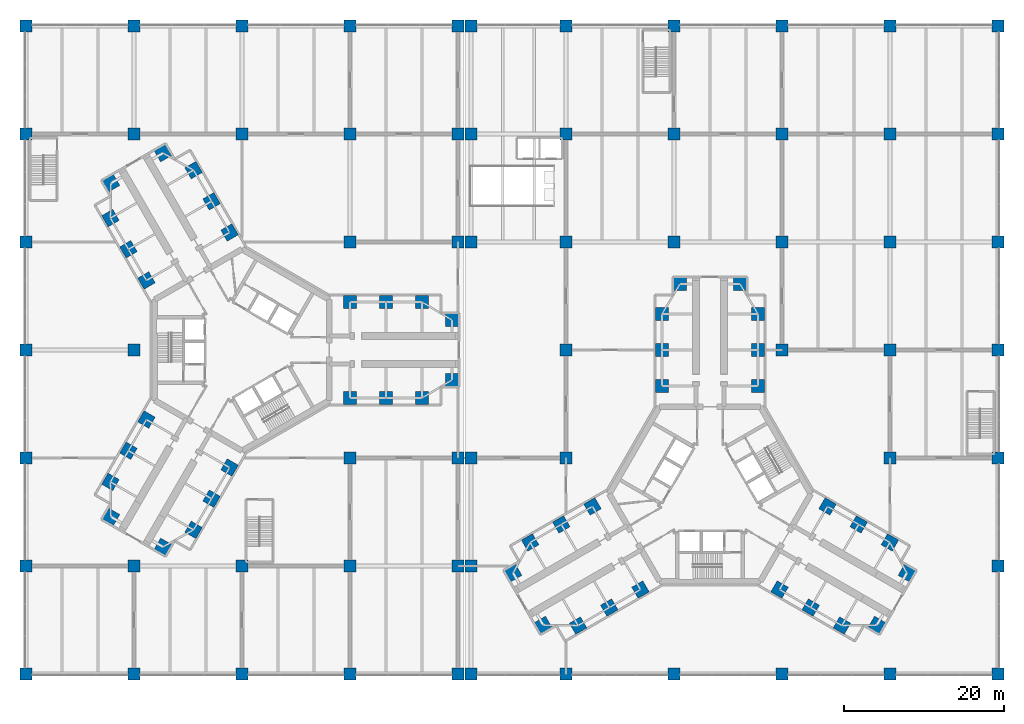
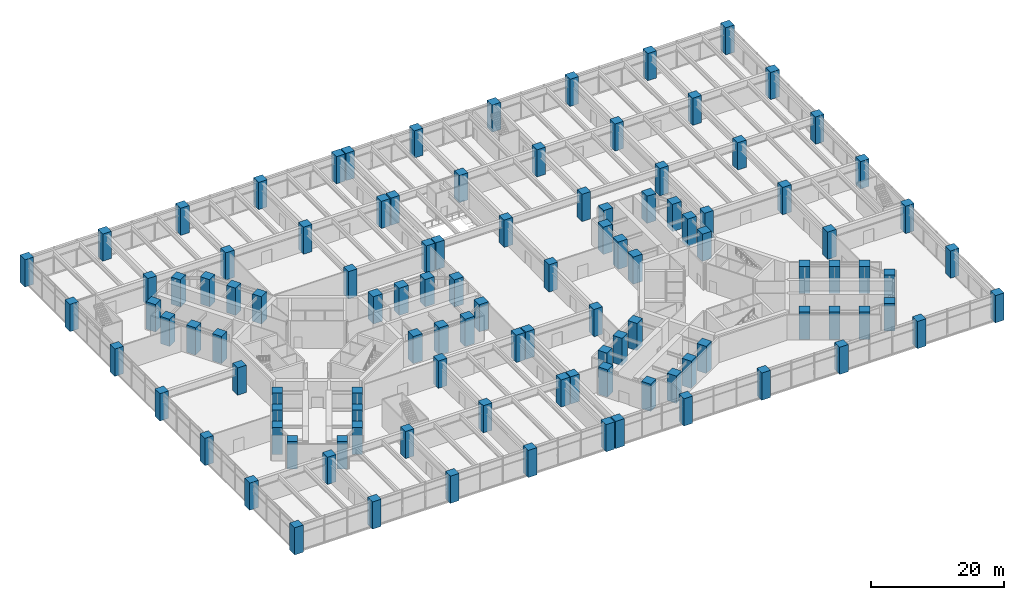
# One storey, part 1 of 31: 110 columns.
"""IFC4 building model written with IfcOpenShell, lengths in metres."""

from ifc_helpers import new_model, si_unit, direction, frame, origin, origin_2d, place, context, subcontext, project, spatial, rectangle, extrude, material, material_profile, profile_set, type_object, element, save


model = new_model("IFC4")

# Units and contexts
model_context = context("Model", 3, precision=1e-05, world=origin(), true_north=direction((0.0, 1.0)))
body_context = subcontext(model_context, "Body", "Model", "MODEL_VIEW")
ifc_project = project(units=[si_unit("LENGTHUNIT", "METRE"), si_unit("AREAUNIT", "SQUARE_METRE"), si_unit("VOLUMEUNIT", "CUBIC_METRE"), si_unit("PLANEANGLEUNIT", "RADIAN"), si_unit("MASSUNIT", "GRAM", prefix="KILO")], contexts=[model_context])

# Site, building, storey
site_placement = place(None, origin())
site = spatial("IfcSite", under=ifc_project, at=site_placement, CompositionType="ELEMENT")
building_placement = place(site_placement, origin())
building = spatial("IfcBuilding", under=site, at=building_placement, Name="Upepo Twin Towers", CompositionType="ELEMENT")
storey_placement = place(building_placement, frame((0.0, 0.0, 15.5)))
storey = spatial("IfcBuildingStorey", under=building, at=storey_placement, Name="L03", CompositionType="ELEMENT", Elevation=15.5)

# Columns
ifc_material_1 = material(Name="Concrete C60/75", Category="concrete")
ifc_material_profile_1 = material_profile(ifc_material_1, rectangle(XDim=1.5, YDim=1.5, at=origin_2d()), Name="RC 1500x1500")
ifc_profile_set_1 = profile_set([ifc_material_profile_1], Name="Concrete C60/75")
column_type_1 = type_object("IfcColumnType", Name="Podium column RC 1500x1500", PredefinedType="COLUMN", material=ifc_profile_set_1)
for number, where, z_axis, x_axis, name in (
    (1, (-27.0, -40.5, 0.0), (0.0, 0.0, 1.0), (1.0, 0.0, 0.0), "Podium column A/1"),
    (2, (-13.5, -40.5, 0.0), (0.0, 0.0, 1.0), (1.0, 0.0, 0.0), "Podium column A/2"),
    (3, (0.0, -40.5, 0.0), (0.0, 0.0, 1.0), (1.0, 0.0, 0.0), "Podium column A/3"),
    (4, (13.5, -40.5, 0.0), (0.0, 0.0, 1.0), (1.0, 0.0, 0.0), "Podium column A/4"),
    (5, (27.0, -40.5, 0.0), (0.0, 0.0, 1.0), (1.0, 0.0, 0.0), "Podium column A/5"),
    (6, (28.64990234375, -40.5, 0.0), (0.0, 0.0, 1.0), (1.0, 0.0, 0.0), "Podium column A/5a"),
    (7, (40.5, -40.5, 0.0), (0.0, 0.0, 1.0), (1.0, 0.0, 0.0), "Podium column A/6"),
    (8, (54.0, -40.5, 0.0), (0.0, 0.0, 1.0), (1.0, 0.0, 0.0), "Podium column A/7"),
    (9, (67.5, -40.5, 0.0), (0.0, 0.0, 1.0), (1.0, 0.0, 0.0), "Podium column A/8"),
    (10, (81.0, -40.5, 0.0), (0.0, 0.0, 1.0), (1.0, 0.0, 0.0), "Podium column A/9"),
    (11, (94.5, -40.5, 0.0), (0.0, 0.0, 1.0), (1.0, 0.0, 0.0), "Podium column A/10"),
    (12, (-27.0, -27.0, 0.0), (0.0, 0.0, 1.0), (1.0, 0.0, 0.0), "Podium column B/1"),
    (13, (-13.5, -27.0, 0.0), (0.0, 0.0, 1.0), (1.0, 0.0, 0.0), "Podium column B/2"),
    (14, (0.0, -27.0, 0.0), (0.0, 0.0, 1.0), (1.0, 0.0, 0.0), "Podium column B/3"),
    (15, (13.5, -27.0, 0.0), (0.0, 0.0, 1.0), (1.0, 0.0, 0.0), "Podium column B/4"),
    (16, (27.0, -27.0, 0.0), (0.0, 0.0, 1.0), (1.0, 0.0, 0.0), "Podium column B/5"),
    (17, (28.64990234375, -27.0, 0.0), (0.0, 0.0, 1.0), (1.0, 0.0, 0.0), "Podium column B/5a"),
    (18, (94.5, -27.0, 0.0), (0.0, 0.0, 1.0), (1.0, 0.0, 0.0), "Podium column B/10"),
    (19, (-27.0, -13.5, 0.0), (0.0, 0.0, 1.0), (1.0, 0.0, 0.0), "Podium column C/1"),
    (20, (13.5, -13.5, 0.0), (0.0, 0.0, 1.0), (1.0, 0.0, 0.0), "Podium column C/4"),
    (21, (27.0, -13.5, 0.0), (0.0, 0.0, 1.0), (1.0, 0.0, 0.0), "Podium column C/5"),
    (22, (28.64990234375, -13.5, 0.0), (0.0, 0.0, 1.0), (1.0, 0.0, 0.0), "Podium column C/5a"),
    (23, (40.5, -13.5, 0.0), (0.0, 0.0, 1.0), (1.0, 0.0, 0.0), "Podium column C/6"),
    (24, (81.0, -13.5, 0.0), (0.0, 0.0, 1.0), (1.0, 0.0, 0.0), "Podium column C/9"),
    (25, (94.5, -13.5, 0.0), (0.0, 0.0, 1.0), (1.0, 0.0, 0.0), "Podium column C/10"),
    (26, (-27.0, 0.0, 0.0), (0.0, 0.0, 1.0), (1.0, 0.0, 0.0), "Podium column D/1"),
    (27, (-13.5, 0.0, 0.0), (0.0, 0.0, 1.0), (1.0, 0.0, 0.0), "Podium column D/2"),
    (28, (40.5, 0.0, 0.0), (0.0, 0.0, 1.0), (1.0, 0.0, 0.0), "Podium column D/6"),
    (29, (67.5, 0.0, 0.0), (0.0, 0.0, 1.0), (1.0, 0.0, 0.0), "Podium column D/8"),
    (30, (81.0, 0.0, 0.0), (0.0, 0.0, 1.0), (1.0, 0.0, 0.0), "Podium column D/9"),
    (31, (94.5, 0.0, 0.0), (0.0, 0.0, 1.0), (1.0, 0.0, 0.0), "Podium column D/10"),
    (32, (-27.0, 13.5, 0.0), (0.0, 0.0, 1.0), (1.0, 0.0, 0.0), "Podium column E/1"),
    (33, (13.5, 13.5, 0.0), (0.0, 0.0, 1.0), (1.0, 0.0, 0.0), "Podium column E/4"),
    (34, (27.0, 13.5, 0.0), (0.0, 0.0, 1.0), (1.0, 0.0, 0.0), "Podium column E/5"),
    (35, (28.64990234375, 13.5, 0.0), (0.0, 0.0, 1.0), (1.0, 0.0, 0.0), "Podium column E/5a"),
    (36, (40.5, 13.5, 0.0), (0.0, 0.0, 1.0), (1.0, 0.0, 0.0), "Podium column E/6"),
    (37, (54.0, 13.5, 0.0), (0.0, 0.0, 1.0), (1.0, 0.0, 0.0), "Podium column E/7"),
    (38, (67.5, 13.5, 0.0), (0.0, 0.0, 1.0), (1.0, 0.0, 0.0), "Podium column E/8"),
    (39, (81.0, 13.5, 0.0), (0.0, 0.0, 1.0), (1.0, 0.0, 0.0), "Podium column E/9"),
    (40, (94.5, 13.5, 0.0), (0.0, 0.0, 1.0), (1.0, 0.0, 0.0), "Podium column E/10"),
    (41, (-27.0, 27.0, 0.0), (0.0, 0.0, 1.0), (1.0, 0.0, 0.0), "Podium column F/1"),
    (42, (-13.5, 27.0, 0.0), (0.0, 0.0, 1.0), (1.0, 0.0, 0.0), "Podium column F/2"),
    (43, (0.0, 27.0, 0.0), (0.0, 0.0, 1.0), (1.0, 0.0, 0.0), "Podium column F/3"),
    (44, (13.5, 27.0, 0.0), (0.0, 0.0, 1.0), (1.0, 0.0, 0.0), "Podium column F/4"),
    (45, (27.0, 27.0, 0.0), (0.0, 0.0, 1.0), (1.0, 0.0, 0.0), "Podium column F/5"),
    (46, (28.64990234375, 27.0, 0.0), (0.0, 0.0, 1.0), (1.0, 0.0, 0.0), "Podium column F/5a"),
    (47, (40.5, 27.0, 0.0), (0.0, 0.0, 1.0), (1.0, 0.0, 0.0), "Podium column F/6"),
    (48, (54.0, 27.0, 0.0), (0.0, 0.0, 1.0), (1.0, 0.0, 0.0), "Podium column F/7"),
    (49, (67.5, 27.0, 0.0), (0.0, 0.0, 1.0), (1.0, 0.0, 0.0), "Podium column F/8"),
    (50, (81.0, 27.0, 0.0), (0.0, 0.0, 1.0), (1.0, 0.0, 0.0), "Podium column F/9"),
    (51, (94.5, 27.0, 0.0), (0.0, 0.0, 1.0), (1.0, 0.0, 0.0), "Podium column F/10"),
    (52, (-27.0, 40.5, 0.0), (0.0, 0.0, 1.0), (1.0, 0.0, 0.0), "Podium column G/1"),
    (53, (-13.5, 40.5, 0.0), (0.0, 0.0, 1.0), (1.0, 0.0, 0.0), "Podium column G/2"),
    (54, (0.0, 40.5, 0.0), (0.0, 0.0, 1.0), (1.0, 0.0, 0.0), "Podium column G/3"),
    (55, (13.5, 40.5, 0.0), (0.0, 0.0, 1.0), (1.0, 0.0, 0.0), "Podium column G/4"),
    (56, (27.0, 40.5, 0.0), (0.0, 0.0, 1.0), (1.0, 0.0, 0.0), "Podium column G/5"),
    (57, (28.64990234375, 40.5, 0.0), (0.0, 0.0, 1.0), (1.0, 0.0, 0.0), "Podium column G/5a"),
    (58, (40.5, 40.5, 0.0), (0.0, 0.0, 1.0), (1.0, 0.0, 0.0), "Podium column G/6"),
    (59, (54.0, 40.5, 0.0), (0.0, 0.0, 1.0), (1.0, 0.0, 0.0), "Podium column G/7"),
    (60, (67.5, 40.5, 0.0), (0.0, 0.0, 1.0), (1.0, 0.0, 0.0), "Podium column G/8"),
    (61, (81.0, 40.5, 0.0), (0.0, 0.0, 1.0), (1.0, 0.0, 0.0), "Podium column G/9"),
    (62, (94.5, 40.5, 0.0), (0.0, 0.0, 1.0), (1.0, 0.0, 0.0), "Podium column G/10"),
):
    element("IfcColumn", number, at=place(storey_placement, frame(where, z_axis=z_axis, x_axis=x_axis)), inside=storey, type_object=column_type_1, Name=name, PredefinedType="COLUMN", context=body_context, shape_type="SweptSolid", body=[
        extrude(rectangle(XDim=1.5, YDim=1.5, at=origin_2d()), origin(), (0.0, 0.0, 1.0), 5.0),
    ])
ifc_material_2 = material(Name="Concrete C60/75", Category="concrete")
ifc_material_profile_2 = material_profile(ifc_material_2, rectangle(XDim=1.60009765625, YDim=1.60009765625, at=origin_2d()), Name="RC 1600x1600")
ifc_profile_set_2 = profile_set([ifc_material_profile_2], Name="Concrete C60/75")
column_type_2 = type_object("IfcColumnType", Name="Tower column RC 1600x1600", PredefinedType="COLUMN", material=ifc_profile_set_2)
for number, where, z_axis, x_axis, name in (
    (63, (13.5, 6.0, 0.0), (0.0, 0.0, 1.0), (1.0, 0.0, 0.0), "T1 column AL135"),
    (64, (13.5, -6.0, 0.0), (0.0, 0.0, 1.0), (1.0, 0.0, 0.0), "T1 column AR135"),
    (65, (18.0, 6.0, 0.0), (0.0, 0.0, 1.0), (1.0, 0.0, 0.0), "T1 column AL180"),
    (66, (18.0, -6.0, 0.0), (0.0, 0.0, 1.0), (1.0, 0.0, 0.0), "T1 column AR180"),
    (67, (22.5, 6.0, 0.0), (0.0, 0.0, 1.0), (1.0, 0.0, 0.0), "T1 column AL225"),
    (68, (22.5, -6.0, 0.0), (0.0, 0.0, 1.0), (1.0, 0.0, 0.0), "T1 column AR225"),
    (69, (26.25, 3.75, 0.0), (0.0, 0.0, 1.0), (1.0, 0.0, 0.0), "T1 column ALN"),
    (70, (26.25, -3.75, 0.0), (0.0, 0.0, 1.0), (1.0, 0.0, 0.0), "T1 column ARN"),
    (71, (-11.946044921875, 8.69140625, 0.0), (0.0, 0.0, 1.0), (0.866025403784, 0.5, 0.0), "T1 column BL135"),
    (72, (-1.553955078125, 14.69140625, 0.0), (0.0, 0.0, 1.0), (0.866025403784, 0.5, 0.0), "T1 column BR135"),
    (73, (-14.196044921875, 12.58837890625, 0.0), (0.0, 0.0, 1.0), (0.866025403784, 0.5, 0.0), "T1 column BL180"),
    (74, (-3.803955078125, 18.58837890625, 0.0), (0.0, 0.0, 1.0), (0.866025403784, 0.5, 0.0), "T1 column BR180"),
    (75, (-16.446044921875, 16.485595703125, 0.0), (0.0, 0.0, 1.0), (0.866025403784, 0.5, 0.0), "T1 column BL225"),
    (76, (-6.053955078125, 22.485595703125, 0.0), (0.0, 0.0, 1.0), (0.866025403784, 0.5, 0.0), "T1 column BR225"),
    (77, (-16.37255859375, 20.858154296875, 0.0), (0.0, 0.0, 1.0), (0.866025403784, 0.5, 0.0), "T1 column BLN"),
    (78, (-9.87744140625, 24.608154296875, 0.0), (0.0, 0.0, 1.0), (0.866025403784, 0.5, 0.0), "T1 column BRN"),
    (79, (-1.553955078125, -14.69140625, 0.0), (0.0, 0.0, 1.0), (0.5, 0.866025403784, 0.0), "T1 column CL135"),
    (80, (-11.946044921875, -8.69140625, 0.0), (0.0, 0.0, 1.0), (0.5, 0.866025403784, 0.0), "T1 column CR135"),
    (81, (-3.803955078125, -18.58837890625, 0.0), (0.0, 0.0, 1.0), (0.5, 0.866025403784, 0.0), "T1 column CL180"),
    (82, (-14.196044921875, -12.58837890625, 0.0), (0.0, 0.0, 1.0), (0.5, 0.866025403784, 0.0), "T1 column CR180"),
    (83, (-6.053955078125, -22.485595703125, 0.0), (0.0, 0.0, 1.0), (0.5, 0.866025403784, 0.0), "T1 column CL225"),
    (84, (-16.446044921875, -16.485595703125, 0.0), (0.0, 0.0, 1.0), (0.5, 0.866025403784, 0.0), "T1 column CR225"),
    (85, (-9.87744140625, -24.608154296875, 0.0), (0.0, 0.0, 1.0), (0.5, 0.866025403784, 0.0), "T1 column CLN"),
    (86, (-16.37255859375, -20.858154296875, 0.0), (0.0, 0.0, 1.0), (0.5, 0.866025403784, 0.0), "T1 column CRN"),
    (87, (52.5, -4.5, 0.0), (0.0, 0.0, 1.0), (1.0, 0.0, 0.0), "T2 column AL135"),
    (88, (64.5, -4.5, 0.0), (0.0, 0.0, 1.0), (1.0, 0.0, 0.0), "T2 column AR135"),
    (89, (52.5, 0.0, 0.0), (0.0, 0.0, 1.0), (1.0, 0.0, 0.0), "T2 column AL180"),
    (90, (64.5, 0.0, 0.0), (0.0, 0.0, 1.0), (1.0, 0.0, 0.0), "T2 column AR180"),
    (91, (52.5, 4.5, 0.0), (0.0, 0.0, 1.0), (1.0, 0.0, 0.0), "T2 column AL225"),
    (92, (64.5, 4.5, 0.0), (0.0, 0.0, 1.0), (1.0, 0.0, 0.0), "T2 column AR225"),
    (93, (54.75, 8.25, 0.0), (0.0, 0.0, 1.0), (1.0, 0.0, 0.0), "T2 column ALN"),
    (94, (62.25, 8.25, 0.0), (0.0, 0.0, 1.0), (1.0, 0.0, 0.0), "T2 column ARN"),
    (95, (49.80859375, -29.946044921875, 0.0), (0.0, 0.0, 1.0), (0.866025403784, 0.5, 0.0), "T2 column BL135"),
    (96, (43.80859375, -19.553955078125, 0.0), (0.0, 0.0, 1.0), (0.866025403784, 0.5, 0.0), "T2 column BR135"),
    (97, (45.91162109375, -32.196044921875, 0.0), (0.0, 0.0, 1.0), (0.866025403784, 0.5, 0.0), "T2 column BL180"),
    (98, (39.91162109375, -21.803955078125, 0.0), (0.0, 0.0, 1.0), (0.866025403784, 0.5, 0.0), "T2 column BR180"),
    (99, (42.014404296875, -34.446044921875, 0.0), (0.0, 0.0, 1.0), (0.866025403784, 0.5, 0.0), "T2 column BL225"),
    (100, (36.014404296875, -24.053955078125, 0.0), (0.0, 0.0, 1.0), (0.866025403784, 0.5, 0.0), "T2 column BR225"),
    (101, (37.641845703125, -34.37255859375, 0.0), (0.0, 0.0, 1.0), (0.866025403784, 0.5, 0.0), "T2 column BLN"),
    (102, (33.891845703125, -27.87744140625, 0.0), (0.0, 0.0, 1.0), (0.866025403784, 0.5, 0.0), "T2 column BRN"),
    (103, (73.19140625, -19.553955078125, 0.0), (0.0, 0.0, 1.0), (0.5, 0.866025403784, 0.0), "T2 column CL135"),
    (104, (67.19140625, -29.946044921875, 0.0), (0.0, 0.0, 1.0), (0.5, 0.866025403784, 0.0), "T2 column CR135"),
    (105, (77.08837890625, -21.803955078125, 0.0), (0.0, 0.0, 1.0), (0.5, 0.866025403784, 0.0), "T2 column CL180"),
    (106, (71.08837890625, -32.196044921875, 0.0), (0.0, 0.0, 1.0), (0.5, 0.866025403784, 0.0), "T2 column CR180"),
    (107, (80.985595703125, -24.053955078125, 0.0), (0.0, 0.0, 1.0), (0.5, 0.866025403784, 0.0), "T2 column CL225"),
    (108, (74.985595703125, -34.446044921875, 0.0), (0.0, 0.0, 1.0), (0.5, 0.866025403784, 0.0), "T2 column CR225"),
    (109, (83.108154296875, -27.87744140625, 0.0), (0.0, 0.0, 1.0), (0.5, 0.866025403784, 0.0), "T2 column CLN"),
    (110, (79.358154296875, -34.37255859375, 0.0), (0.0, 0.0, 1.0), (0.5, 0.866025403784, 0.0), "T2 column CRN"),
):
    element("IfcColumn", number, at=place(storey_placement, frame(where, z_axis=z_axis, x_axis=x_axis)), inside=storey, type_object=column_type_2, Name=name, PredefinedType="COLUMN", context=body_context, shape_type="SweptSolid", body=[
        extrude(rectangle(XDim=1.60009765625, YDim=1.60009765625, at=origin_2d()), origin(), (0.0, 0.0, 1.0), 5.0),
    ])

save(model, "model.ifc")
